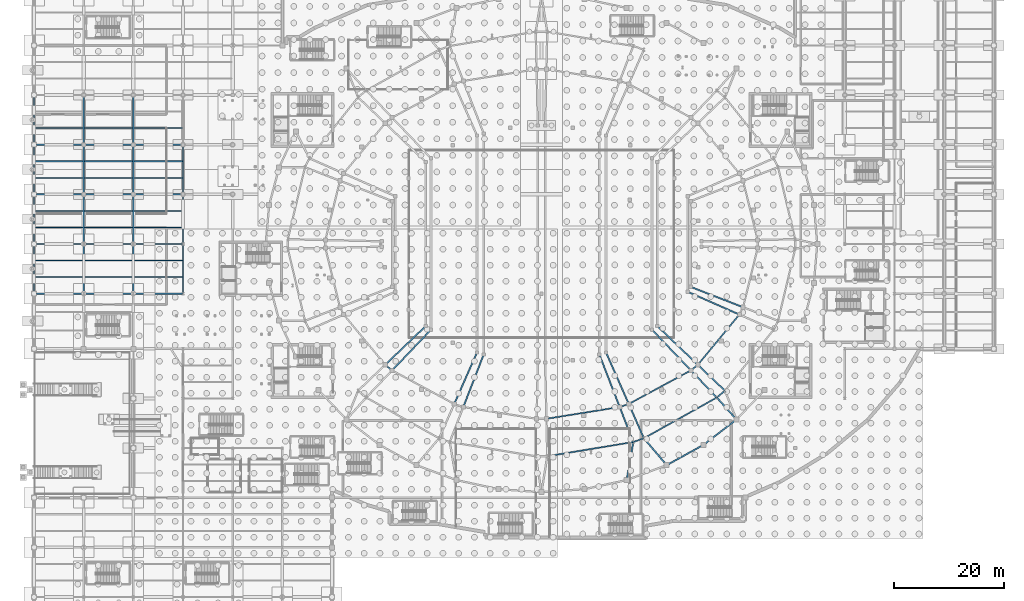
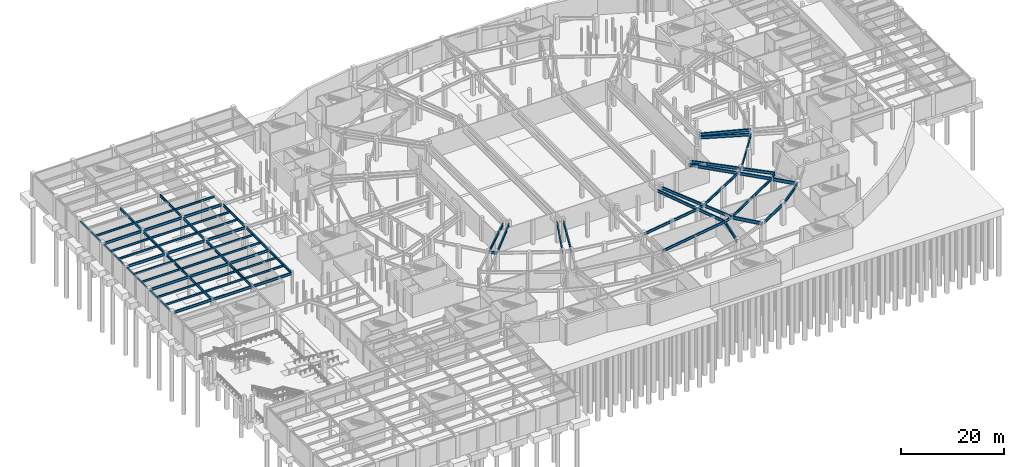
# One storey, part 34 of 56: 77 beams.
"""IFC4 building model written with IfcOpenShell, lengths in metres."""

from ifc_helpers import new_model, si_unit, direction, frame, origin, origin_2d, place, context, subcontext, project, spatial, hollow_rectangle, i_section, extrude, material, material_profile, profile_set, type_object, element, save


model = new_model("IFC4")

# Units and contexts
model_context = context("Model", 3, precision=1e-05, world=origin(), true_north=direction((0.0, 1.0)))
body_context = subcontext(model_context, "Body", "Model", "MODEL_VIEW")
ifc_project = project(units=[si_unit("LENGTHUNIT", "METRE"), si_unit("AREAUNIT", "SQUARE_METRE"), si_unit("VOLUMEUNIT", "CUBIC_METRE"), si_unit("PLANEANGLEUNIT", "RADIAN"), si_unit("MASSUNIT", "GRAM", prefix="KILO")], contexts=[model_context])

# Site, building, storey
site_placement = place(None, origin())
site = spatial("IfcSite", under=ifc_project, at=site_placement, CompositionType="ELEMENT")
building_placement = place(site_placement, origin())
building = spatial("IfcBuilding", under=site, at=building_placement, Name="Glasvene Arena", CompositionType="ELEMENT")
storey_placement = place(building_placement, frame((0.0, 0.0, -5.39990234375)))
storey = spatial("IfcBuildingStorey", under=building, at=storey_placement, Name="B1", CompositionType="ELEMENT", Elevation=-5.39990234375)

# Beams
ifc_material = material(Name="Steel S355J2", Category="steel")
ifc_material_profile_1 = material_profile(ifc_material, i_section(OverallWidth=0.228271484375, OverallDepth=0.607666015625, WebThickness=0.010986328125, FlangeThickness=0.017333984375, FilletRadius=0.0126953125, at=origin_2d()), Name="UKB 610x229x113")
ifc_profile_set_1 = profile_set([ifc_material_profile_1], Name="Steel S355J2")
beam_type_1 = type_object("IfcBeamType", Name="BM-GIRD-610", PredefinedType="BEAM", material=ifc_profile_set_1)
beam_1_placement = place(storey_placement, frame((0.445068359375, 64.0, 4.736083984375), z_axis=(1.0, 0.0, 0.0), x_axis=(0.0, 1.0, 0.0)))
element("IfcBeam", 1, at=beam_1_placement, inside=storey, type_object=beam_type_1, Name="Primary X girder B1-0039", PredefinedType="BEAM", context=body_context, shape_type="SweptSolid", body=[
    extrude(i_section(OverallWidth=0.228271484375, OverallDepth=0.607666015625, WebThickness=0.010986328125, FlangeThickness=0.017333984375, FilletRadius=0.0126953125, at=origin_2d()), origin(), (0.0, 0.0, 1.0), 8.5048828125),
])
for number, where, z_axis, x_axis, name in (
    (2, (9.050048828125, 64.0, 4.736083984375), (1.0, 0.0, 0.0), (0.0, 1.0, 0.0), "Primary X girder B1-0040"),
    (3, (18.050048828125, 64.0, 4.736083984375), (1.0, 0.0, 0.0), (0.0, 1.0, 0.0), "Primary X girder B1-0041"),
):
    element("IfcBeam", number, at=place(storey_placement, frame(where, z_axis=z_axis, x_axis=x_axis)), inside=storey, type_object=beam_type_1, Name=name, PredefinedType="BEAM", context=body_context, shape_type="SweptSolid", body=[
        extrude(i_section(OverallWidth=0.228271484375, OverallDepth=0.607666015625, WebThickness=0.010986328125, FlangeThickness=0.017333984375, FilletRadius=0.0126953125, at=origin_2d()), origin(), (0.0, 0.0, 1.0), 8.89990234375),
    ])
beam_2_placement = place(storey_placement, frame((0.445068359375, 73.0, 4.736083984375), z_axis=(1.0, 0.0, 0.0), x_axis=(0.0, 1.0, 0.0)))
element("IfcBeam", 4, at=beam_2_placement, inside=storey, type_object=beam_type_1, Name="Primary X girder B1-0044", PredefinedType="BEAM", context=body_context, shape_type="SweptSolid", body=[
    extrude(i_section(OverallWidth=0.228271484375, OverallDepth=0.607666015625, WebThickness=0.010986328125, FlangeThickness=0.017333984375, FilletRadius=0.0126953125, at=origin_2d()), origin(), (0.0, 0.0, 1.0), 8.5048828125),
])
for number, where, z_axis, x_axis, name in (
    (5, (9.050048828125, 73.0, 4.736083984375), (1.0, 0.0, 0.0), (0.0, 1.0, 0.0), "Primary X girder B1-0045"),
    (6, (18.050048828125, 73.0, 4.736083984375), (1.0, 0.0, 0.0), (0.0, 1.0, 0.0), "Primary X girder B1-0046"),
):
    element("IfcBeam", number, at=place(storey_placement, frame(where, z_axis=z_axis, x_axis=x_axis)), inside=storey, type_object=beam_type_1, Name=name, PredefinedType="BEAM", context=body_context, shape_type="SweptSolid", body=[
        extrude(i_section(OverallWidth=0.228271484375, OverallDepth=0.607666015625, WebThickness=0.010986328125, FlangeThickness=0.017333984375, FilletRadius=0.0126953125, at=origin_2d()), origin(), (0.0, 0.0, 1.0), 8.89990234375),
    ])
beam_3_placement = place(storey_placement, frame((0.445068359375, 82.0, 4.736083984375), z_axis=(1.0, 0.0, 0.0), x_axis=(0.0, 1.0, 0.0)))
element("IfcBeam", 7, at=beam_3_placement, inside=storey, type_object=beam_type_1, Name="Primary X girder B1-0050", PredefinedType="BEAM", context=body_context, shape_type="SweptSolid", body=[
    extrude(i_section(OverallWidth=0.228271484375, OverallDepth=0.607666015625, WebThickness=0.010986328125, FlangeThickness=0.017333984375, FilletRadius=0.0126953125, at=origin_2d()), origin(), (0.0, 0.0, 1.0), 8.260009765625),
])
for number, where, z_axis, x_axis, name in (
    (8, (9.294921875, 82.0, 4.736083984375), (1.0, 0.0, 0.0), (0.0, 1.0, 0.0), "Primary X girder B1-0051"),
    (9, (18.294921875, 82.0, 4.736083984375), (1.0, 0.0, 0.0), (0.0, 1.0, 0.0), "Primary X girder B1-0052"),
):
    element("IfcBeam", number, at=place(storey_placement, frame(where, z_axis=z_axis, x_axis=x_axis)), inside=storey, type_object=beam_type_1, Name=name, PredefinedType="BEAM", context=body_context, shape_type="SweptSolid", body=[
        extrude(i_section(OverallWidth=0.228271484375, OverallDepth=0.607666015625, WebThickness=0.010986328125, FlangeThickness=0.017333984375, FilletRadius=0.0126953125, at=origin_2d()), origin(), (0.0, 0.0, 1.0), 8.41015625),
    ])
beam_4_placement = place(storey_placement, frame((0.445068359375, 91.0, 4.736083984375), z_axis=(1.0, 0.0, 0.0), x_axis=(0.0, 1.0, 0.0)))
element("IfcBeam", 10, at=beam_4_placement, inside=storey, type_object=beam_type_1, Name="Primary X girder B1-0056", PredefinedType="BEAM", context=body_context, shape_type="SweptSolid", body=[
    extrude(i_section(OverallWidth=0.228271484375, OverallDepth=0.607666015625, WebThickness=0.010986328125, FlangeThickness=0.017333984375, FilletRadius=0.0126953125, at=origin_2d()), origin(), (0.0, 0.0, 1.0), 8.260009765625),
])
for number, where, z_axis, x_axis, name in (
    (11, (9.294921875, 91.0, 4.736083984375), (1.0, 0.0, 0.0), (0.0, 1.0, 0.0), "Primary X girder B1-0057"),
    (12, (18.294921875, 91.0, 4.736083984375), (1.0, 0.0, 0.0), (0.0, 1.0, 0.0), "Primary X girder B1-0058"),
):
    element("IfcBeam", number, at=place(storey_placement, frame(where, z_axis=z_axis, x_axis=x_axis)), inside=storey, type_object=beam_type_1, Name=name, PredefinedType="BEAM", context=body_context, shape_type="SweptSolid", body=[
        extrude(i_section(OverallWidth=0.228271484375, OverallDepth=0.607666015625, WebThickness=0.010986328125, FlangeThickness=0.017333984375, FilletRadius=0.0126953125, at=origin_2d()), origin(), (0.0, 0.0, 1.0), 8.41015625),
    ])
beam_5_placement = place(storey_placement, frame((9.0, 64.185546875, 4.736083984375), z_axis=(0.0, 1.0, 0.0), x_axis=(-1.0, 0.0, 0.0)))
element("IfcBeam", 13, at=beam_5_placement, inside=storey, type_object=beam_type_1, Name="Primary Y girder B1-0099", PredefinedType="BEAM", context=body_context, shape_type="SweptSolid", body=[
    extrude(i_section(OverallWidth=0.228271484375, OverallDepth=0.607666015625, WebThickness=0.010986328125, FlangeThickness=0.017333984375, FilletRadius=0.0126953125, at=origin_2d()), origin(), (0.0, 0.0, 1.0), 8.62890625),
])
beam_6_placement = place(storey_placement, frame((9.0, 73.185546875, 4.736083984375), z_axis=(0.0, 1.0, 0.0), x_axis=(-1.0, 0.0, 0.0)))
element("IfcBeam", 14, at=beam_6_placement, inside=storey, type_object=beam_type_1, Name="Primary Y girder B1-0100", PredefinedType="BEAM", context=body_context, shape_type="SweptSolid", body=[
    extrude(i_section(OverallWidth=0.228271484375, OverallDepth=0.607666015625, WebThickness=0.010986328125, FlangeThickness=0.017333984375, FilletRadius=0.0126953125, at=origin_2d()), origin(), (0.0, 0.0, 1.0), 8.51953125),
])
for number, where, z_axis, x_axis, name in (
    (15, (9.0, 82.294921875, 4.736083984375), (0.0, 1.0, 0.0), (-1.0, 0.0, 0.0), "Primary Y girder B1-0101"),
    (16, (9.0, 91.294921875, 4.736083984375), (0.0, 1.0, 0.0), (-1.0, 0.0, 0.0), "Primary Y girder B1-0102"),
):
    element("IfcBeam", number, at=place(storey_placement, frame(where, z_axis=z_axis, x_axis=x_axis)), inside=storey, type_object=beam_type_1, Name=name, PredefinedType="BEAM", context=body_context, shape_type="SweptSolid", body=[
        extrude(i_section(OverallWidth=0.228271484375, OverallDepth=0.607666015625, WebThickness=0.010986328125, FlangeThickness=0.017333984375, FilletRadius=0.0126953125, at=origin_2d()), origin(), (0.0, 0.0, 1.0), 8.41015625),
    ])
beam_7_placement = place(storey_placement, frame((18.0, 64.185546875, 4.736083984375), z_axis=(0.0, 1.0, 0.0), x_axis=(-1.0, 0.0, 0.0)))
element("IfcBeam", 17, at=beam_7_placement, inside=storey, type_object=beam_type_1, Name="Primary Y girder B1-0109", PredefinedType="BEAM", context=body_context, shape_type="SweptSolid", body=[
    extrude(i_section(OverallWidth=0.228271484375, OverallDepth=0.607666015625, WebThickness=0.010986328125, FlangeThickness=0.017333984375, FilletRadius=0.0126953125, at=origin_2d()), origin(), (0.0, 0.0, 1.0), 8.62890625),
])
beam_8_placement = place(storey_placement, frame((18.0, 73.185546875, 4.736083984375), z_axis=(0.0, 1.0, 0.0), x_axis=(-1.0, 0.0, 0.0)))
element("IfcBeam", 18, at=beam_8_placement, inside=storey, type_object=beam_type_1, Name="Primary Y girder B1-0110", PredefinedType="BEAM", context=body_context, shape_type="SweptSolid", body=[
    extrude(i_section(OverallWidth=0.228271484375, OverallDepth=0.607666015625, WebThickness=0.010986328125, FlangeThickness=0.017333984375, FilletRadius=0.0126953125, at=origin_2d()), origin(), (0.0, 0.0, 1.0), 8.51953125),
])
for number, where, z_axis, x_axis, name in (
    (19, (18.0, 82.294921875, 4.736083984375), (0.0, 1.0, 0.0), (-1.0, 0.0, 0.0), "Primary Y girder B1-0111"),
    (20, (18.0, 91.294921875, 4.736083984375), (0.0, 1.0, 0.0), (-1.0, 0.0, 0.0), "Primary Y girder B1-0112"),
):
    element("IfcBeam", number, at=place(storey_placement, frame(where, z_axis=z_axis, x_axis=x_axis)), inside=storey, type_object=beam_type_1, Name=name, PredefinedType="BEAM", context=body_context, shape_type="SweptSolid", body=[
        extrude(i_section(OverallWidth=0.228271484375, OverallDepth=0.607666015625, WebThickness=0.010986328125, FlangeThickness=0.017333984375, FilletRadius=0.0126953125, at=origin_2d()), origin(), (0.0, 0.0, 1.0), 8.41015625),
    ])
beam_9_placement = place(storey_placement, frame((27.0, 64.185546875, 4.736083984375), z_axis=(0.0, 1.0, 0.0), x_axis=(-1.0, 0.0, 0.0)))
element("IfcBeam", 21, at=beam_9_placement, inside=storey, type_object=beam_type_1, Name="Primary Y girder B1-0121", PredefinedType="BEAM", context=body_context, shape_type="SweptSolid", body=[
    extrude(i_section(OverallWidth=0.228271484375, OverallDepth=0.607666015625, WebThickness=0.010986328125, FlangeThickness=0.017333984375, FilletRadius=0.0126953125, at=origin_2d()), origin(), (0.0, 0.0, 1.0), 8.62890625),
])
beam_10_placement = place(storey_placement, frame((27.0, 73.185546875, 4.736083984375), z_axis=(0.0, 1.0, 0.0), x_axis=(-1.0, 0.0, 0.0)))
element("IfcBeam", 22, at=beam_10_placement, inside=storey, type_object=beam_type_1, Name="Primary Y girder B1-0122", PredefinedType="BEAM", context=body_context, shape_type="SweptSolid", body=[
    extrude(i_section(OverallWidth=0.228271484375, OverallDepth=0.607666015625, WebThickness=0.010986328125, FlangeThickness=0.017333984375, FilletRadius=0.0126953125, at=origin_2d()), origin(), (0.0, 0.0, 1.0), 8.51953125),
])
beam_11_placement = place(storey_placement, frame((27.0, 82.294921875, 4.736083984375), z_axis=(0.0, 1.0, 0.0), x_axis=(-1.0, 0.0, 0.0)))
element("IfcBeam", 23, at=beam_11_placement, inside=storey, type_object=beam_type_1, Name="Primary Y girder B1-0123", PredefinedType="BEAM", context=body_context, shape_type="SweptSolid", body=[
    extrude(i_section(OverallWidth=0.228271484375, OverallDepth=0.607666015625, WebThickness=0.010986328125, FlangeThickness=0.017333984375, FilletRadius=0.0126953125, at=origin_2d()), origin(), (0.0, 0.0, 1.0), 8.41015625),
])
beam_12_placement = place(storey_placement, frame((63.65966796875, 51.09912109375, 4.73486328125), z_axis=(0.77751541262, -0.628863882839, 0.0), x_axis=(0.628863882839, 0.77751541262, 0.0)))
element("IfcBeam", 24, at=beam_12_placement, inside=storey, type_object=beam_type_1, Name="Mid-bowl ring girder B1-20", PredefinedType="BEAM", context=body_context, shape_type="SweptSolid", body=[
    extrude(i_section(OverallWidth=0.228271484375, OverallDepth=0.607666015625, WebThickness=0.010986328125, FlangeThickness=0.017333984375, FilletRadius=0.0126953125, at=origin_2d()), origin(), (0.0, 0.0, 1.0), 1.61767578125),
])
beam_13_placement = place(storey_placement, frame((93.043701171875, 34.510009765625, 4.73486328125), z_axis=(0.986425216298, 0.164211122194, 0.0), x_axis=(-0.164211122194, 0.986425216298, 0.0)))
element("IfcBeam", 25, at=beam_13_placement, inside=storey, type_object=beam_type_1, Name="Concourse inner ring girder B1-25", PredefinedType="BEAM", context=body_context, shape_type="SweptSolid", body=[
    extrude(i_section(OverallWidth=0.228271484375, OverallDepth=0.607666015625, WebThickness=0.010986328125, FlangeThickness=0.017333984375, FilletRadius=0.0126953125, at=origin_2d()), origin(), (0.0, 0.0, 1.0), 15.8056640625),
])
beam_14_placement = place(storey_placement, frame((92.889404296875, 41.30810546875, 4.73486328125), z_axis=(0.987308283351, 0.15881547036, 0.0), x_axis=(-0.15881547036, 0.987308283351, 0.0)))
element("IfcBeam", 26, at=beam_14_placement, inside=storey, type_object=beam_type_1, Name="Mid-bowl ring girder B1-25", PredefinedType="BEAM", context=body_context, shape_type="SweptSolid", body=[
    extrude(i_section(OverallWidth=0.228271484375, OverallDepth=0.607666015625, WebThickness=0.010986328125, FlangeThickness=0.017333984375, FilletRadius=0.0126953125, at=origin_2d()), origin(), (0.0, 0.0, 1.0), 13.457275390625),
])
beam_15_placement = place(storey_placement, frame((108.634765625, 37.10546875, 4.73486328125), z_axis=(0.944798184006, 0.327652852114, 0.0), x_axis=(-0.327652852114, 0.944798184006, 0.0)))
element("IfcBeam", 27, at=beam_15_placement, inside=storey, type_object=beam_type_1, Name="Concourse inner ring girder B1-26", PredefinedType="BEAM", context=body_context, shape_type="SweptSolid", body=[
    extrude(i_section(OverallWidth=0.228271484375, OverallDepth=0.607666015625, WebThickness=0.010986328125, FlangeThickness=0.017333984375, FilletRadius=0.0126953125, at=origin_2d()), origin(), (0.0, 0.0, 1.0), 2.040771484375),
])
beam_16_placement = place(storey_placement, frame((106.17578125, 43.4453125, 4.73486328125), z_axis=(0.948203248213, 0.317664288326, 0.0), x_axis=(-0.317664288326, 0.948203248213, 0.0)))
element("IfcBeam", 28, at=beam_16_placement, inside=storey, type_object=beam_type_1, Name="Mid-bowl ring girder B1-26", PredefinedType="BEAM", context=body_context, shape_type="SweptSolid", body=[
    extrude(i_section(OverallWidth=0.228271484375, OverallDepth=0.607666015625, WebThickness=0.010986328125, FlangeThickness=0.017333984375, FilletRadius=0.0126953125, at=origin_2d()), origin(), (0.0, 0.0, 1.0), 1.733154296875),
])
beam_17_placement = place(storey_placement, frame((110.56298828125, 37.774169921875, 4.73486328125), z_axis=(0.87279341778, 0.488089796943, 0.0), x_axis=(-0.488089796943, 0.87279341778, 0.0)))
element("IfcBeam", 29, at=beam_17_placement, inside=storey, type_object=beam_type_1, Name="Concourse inner ring girder B1-27", PredefinedType="BEAM", context=body_context, shape_type="SweptSolid", body=[
    extrude(i_section(OverallWidth=0.228271484375, OverallDepth=0.607666015625, WebThickness=0.010986328125, FlangeThickness=0.017333984375, FilletRadius=0.0126953125, at=origin_2d()), origin(), (0.0, 0.0, 1.0), 15.14404296875),
])
beam_18_placement = place(storey_placement, frame((107.819091796875, 43.995849609375, 4.73486328125), z_axis=(0.879784979892, 0.475371843042, 0.0), x_axis=(-0.475371843042, 0.879784979892, 0.0)))
element("IfcBeam", 30, at=beam_18_placement, inside=storey, type_object=beam_type_1, Name="Mid-bowl ring girder B1-27", PredefinedType="BEAM", context=body_context, shape_type="SweptSolid", body=[
    extrude(i_section(OverallWidth=0.228271484375, OverallDepth=0.607666015625, WebThickness=0.010986328125, FlangeThickness=0.017333984375, FilletRadius=0.0126953125, at=origin_2d()), origin(), (0.0, 0.0, 1.0), 12.802490234375),
])
beam_19_placement = place(storey_placement, frame((123.780517578125, 45.165771484375, 4.73486328125), z_axis=(0.766930434436, 0.641730246082, 0.0), x_axis=(-0.641730246082, 0.766930434436, 0.0)))
element("IfcBeam", 31, at=beam_19_placement, inside=storey, type_object=beam_type_1, Name="Concourse inner ring girder B1-28", PredefinedType="BEAM", context=body_context, shape_type="SweptSolid", body=[
    extrude(i_section(OverallWidth=0.228271484375, OverallDepth=0.607666015625, WebThickness=0.010986328125, FlangeThickness=0.017333984375, FilletRadius=0.0126953125, at=origin_2d()), origin(), (0.0, 0.0, 1.0), 1.924560546875),
])
beam_20_placement = place(storey_placement, frame((119.08251953125, 50.081787109375, 4.73486328125), z_axis=(0.77751541262, 0.628863882839, 0.0), x_axis=(-0.628863882839, 0.77751541262, 0.0)))
element("IfcBeam", 32, at=beam_20_placement, inside=storey, type_object=beam_type_1, Name="Mid-bowl ring girder B1-28", PredefinedType="BEAM", context=body_context, shape_type="SweptSolid", body=[
    extrude(i_section(OverallWidth=0.228271484375, OverallDepth=0.607666015625, WebThickness=0.010986328125, FlangeThickness=0.017333984375, FilletRadius=0.0126953125, at=origin_2d()), origin(), (0.0, 0.0, 1.0), 1.61767578125),
])
beam_21_placement = place(storey_placement, frame((120.34033203125, 51.09912109375, 4.73486328125), z_axis=(0.636971685607, 0.770887197802, 0.0), x_axis=(-0.770887197802, 0.636971685607, 0.0)))
element("IfcBeam", 33, at=beam_21_placement, inside=storey, type_object=beam_type_1, Name="Mid-bowl ring girder B1-29", PredefinedType="BEAM", context=body_context, shape_type="SweptSolid", body=[
    extrude(i_section(OverallWidth=0.228271484375, OverallDepth=0.607666015625, WebThickness=0.010986328125, FlangeThickness=0.017333984375, FilletRadius=0.0126953125, at=origin_2d()), origin(), (0.0, 0.0, 1.0), 11.8154296875),
])
ifc_material_profile_2 = material_profile(ifc_material, i_section(OverallWidth=0.253662109375, OverallDepth=0.68359375, WebThickness=0.012451171875, FlangeThickness=0.01904296875, FilletRadius=0.01513671875, at=origin_2d()), Name="UKB 686x254x140")
ifc_profile_set_2 = profile_set([ifc_material_profile_2], Name="Steel S355J2")
beam_type_2 = type_object("IfcBeamType", Name="BM-GIRD-686", PredefinedType="BEAM", material=ifc_profile_set_2)
beam_22_placement = place(storey_placement, frame((115.0673828125, 33.107421875, 4.6982421875), z_axis=(0.875645230087, 0.482954895436, 0.0), x_axis=(-0.482954895436, 0.875645230087, 0.0)))
element("IfcBeam", 34, at=beam_22_placement, inside=storey, type_object=beam_type_2, Name="Bowl ring chord beam B1-34", PredefinedType="BEAM", context=body_context, shape_type="SweptSolid", body=[
    extrude(i_section(OverallWidth=0.253662109375, OverallDepth=0.68359375, WebThickness=0.012451171875, FlangeThickness=0.01904296875, FilletRadius=0.01513671875, at=origin_2d()), origin(), (0.0, 0.0, 1.0), 6.799560546875),
])
beam_23_placement = place(storey_placement, frame((121.722412109375, 36.85009765625, 4.6982421875), z_axis=(0.792808596744, 0.60947069571, 0.0), x_axis=(-0.60947069571, 0.792808596744, 0.0)))
element("IfcBeam", 35, at=beam_23_placement, inside=storey, type_object=beam_type_2, Name="Bowl ring chord beam B1-35", PredefinedType="BEAM", context=body_context, shape_type="SweptSolid", body=[
    extrude(i_section(OverallWidth=0.253662109375, OverallDepth=0.68359375, WebThickness=0.012451171875, FlangeThickness=0.01904296875, FilletRadius=0.01513671875, at=origin_2d()), origin(), (0.0, 0.0, 1.0), 6.684814453125),
])
beam_24_placement = place(storey_placement, frame((106.17578125, 43.4453125, 4.697998046875), z_axis=(0.361614477563, -0.932327715783, 0.0), x_axis=(0.932327715783, 0.361614477563, 0.0)))
element("IfcBeam", 36, at=beam_24_placement, inside=storey, type_object=beam_type_2, Name="Mid-to-rear radial girder B1-26", PredefinedType="BEAM", context=body_context, shape_type="SweptSolid", body=[
    extrude(i_section(OverallWidth=0.253662109375, OverallDepth=0.68359375, WebThickness=0.012451171875, FlangeThickness=0.01904296875, FilletRadius=0.01513671875, at=origin_2d()), origin(), (0.0, 0.0, 1.0), 6.800048828125),
])
for number, where, z_axis, x_axis, name in (
    (37, (107.819091796875, 43.995849609375, 4.697998046875), (0.403521754761, -0.914970050567, 0.0), (0.914970050567, 0.403521754761, 0.0), "Mid-to-rear radial girder B1-27"),
    (38, (119.08251953125, 50.081787109375, 4.697998046875), (0.690894054314, -0.722956019211, 0.0), (0.722956019211, 0.690894054314, 0.0), "Mid-to-rear radial girder B1-28"),
):
    element("IfcBeam", number, at=place(storey_placement, frame(where, z_axis=z_axis, x_axis=x_axis)), inside=storey, type_object=beam_type_2, Name=name, PredefinedType="BEAM", context=body_context, shape_type="SweptSolid", body=[
        extrude(i_section(OverallWidth=0.253662109375, OverallDepth=0.68359375, WebThickness=0.012451171875, FlangeThickness=0.01904296875, FilletRadius=0.01513671875, at=origin_2d()), origin(), (0.0, 0.0, 1.0), 6.7998046875),
    ])
beam_25_placement = place(storey_placement, frame((120.34033203125, 51.09912109375, 4.697998046875), z_axis=(0.722955223934, -0.690894886496, 0.0), x_axis=(0.690894886496, 0.722955223934, 0.0)))
element("IfcBeam", 39, at=beam_25_placement, inside=storey, type_object=beam_type_2, Name="Mid-to-rear radial girder B1-29", PredefinedType="BEAM", context=body_context, shape_type="SweptSolid", body=[
    extrude(i_section(OverallWidth=0.253662109375, OverallDepth=0.68359375, WebThickness=0.012451171875, FlangeThickness=0.01904296875, FilletRadius=0.01513671875, at=origin_2d()), origin(), (0.0, 0.0, 1.0), 6.80029296875),
])
beam_26_placement = place(storey_placement, frame((71.033935546875, 58.14599609375, 4.697998046875), z_axis=(-0.722973421987, -0.690875843477, 0.0), x_axis=(0.690875843477, -0.722973421987, 0.0)))
element("IfcBeam", 40, at=beam_26_placement, inside=storey, type_object=beam_type_2, Name="Pitch-to-mid basement girder 20", PredefinedType="BEAM", context=body_context, shape_type="SweptSolid", body=[
    extrude(i_section(OverallWidth=0.253662109375, OverallDepth=0.68359375, WebThickness=0.012451171875, FlangeThickness=0.01904296875, FilletRadius=0.01513671875, at=origin_2d()), origin(), (0.0, 0.0, 1.0), 10.199951171875),
])
beam_27_placement = place(storey_placement, frame((71.96435546875, 57.456298828125, 4.697998046875), z_axis=(-0.690863888142, -0.722984846356, 0.0), x_axis=(0.722984846356, -0.690863888142, 0.0)))
element("IfcBeam", 41, at=beam_27_placement, inside=storey, type_object=beam_type_2, Name="Pitch-to-mid basement girder 21", PredefinedType="BEAM", context=body_context, shape_type="SweptSolid", body=[
    extrude(i_section(OverallWidth=0.253662109375, OverallDepth=0.68359375, WebThickness=0.012451171875, FlangeThickness=0.01904296875, FilletRadius=0.01513671875, at=origin_2d()), origin(), (0.0, 0.0, 1.0), 10.2001953125),
])
beam_28_placement = place(storey_placement, frame((80.297119140625, 53.328369140625, 4.697998046875), z_axis=(-0.40355181162, -0.914956794247, 0.0), x_axis=(0.914956794247, -0.40355181162, 0.0)))
element("IfcBeam", 42, at=beam_28_placement, inside=storey, type_object=beam_type_2, Name="Pitch-to-mid basement girder 22", PredefinedType="BEAM", context=body_context, shape_type="SweptSolid", body=[
    extrude(i_section(OverallWidth=0.253662109375, OverallDepth=0.68359375, WebThickness=0.012451171875, FlangeThickness=0.01904296875, FilletRadius=0.01513671875, at=origin_2d()), origin(), (0.0, 0.0, 1.0), 10.199951171875),
])
for number, where, z_axis, x_axis, name in (
    (43, (81.512939453125, 52.955078125, 4.697998046875), (-0.361635282691, -0.932319645998, 0.0), (0.932319645998, -0.361635282691, 0.0), "Pitch-to-mid basement girder 23"),
    (44, (102.487060546875, 52.955078125, 4.697998046875), (0.361635282691, -0.932319645998, 0.0), (0.932319645998, 0.361635282691, 0.0), "Pitch-to-mid basement girder 26"),
):
    element("IfcBeam", number, at=place(storey_placement, frame(where, z_axis=z_axis, x_axis=x_axis)), inside=storey, type_object=beam_type_2, Name=name, PredefinedType="BEAM", context=body_context, shape_type="SweptSolid", body=[
        extrude(i_section(OverallWidth=0.253662109375, OverallDepth=0.68359375, WebThickness=0.012451171875, FlangeThickness=0.01904296875, FilletRadius=0.01513671875, at=origin_2d()), origin(), (0.0, 0.0, 1.0), 10.2001953125),
    ])
beam_29_placement = place(storey_placement, frame((103.702880859375, 53.328369140625, 4.697998046875), z_axis=(0.40355181162, -0.914956794247, 0.0), x_axis=(0.914956794247, 0.40355181162, 0.0)))
element("IfcBeam", 45, at=beam_29_placement, inside=storey, type_object=beam_type_2, Name="Pitch-to-mid basement girder 27", PredefinedType="BEAM", context=body_context, shape_type="SweptSolid", body=[
    extrude(i_section(OverallWidth=0.253662109375, OverallDepth=0.68359375, WebThickness=0.012451171875, FlangeThickness=0.01904296875, FilletRadius=0.01513671875, at=origin_2d()), origin(), (0.0, 0.0, 1.0), 10.199951171875),
])
beam_30_placement = place(storey_placement, frame((112.03564453125, 57.456298828125, 4.697998046875), z_axis=(0.690863888142, -0.722984846356, 0.0), x_axis=(0.722984846356, 0.690863888142, 0.0)))
element("IfcBeam", 46, at=beam_30_placement, inside=storey, type_object=beam_type_2, Name="Pitch-to-mid basement girder 28", PredefinedType="BEAM", context=body_context, shape_type="SweptSolid", body=[
    extrude(i_section(OverallWidth=0.253662109375, OverallDepth=0.68359375, WebThickness=0.012451171875, FlangeThickness=0.01904296875, FilletRadius=0.01513671875, at=origin_2d()), origin(), (0.0, 0.0, 1.0), 10.2001953125),
])
beam_31_placement = place(storey_placement, frame((112.966064453125, 58.14599609375, 4.697998046875), z_axis=(0.722973421987, -0.690875843477, 0.0), x_axis=(0.690875843477, 0.722973421987, 0.0)))
element("IfcBeam", 47, at=beam_31_placement, inside=storey, type_object=beam_type_2, Name="Pitch-to-mid basement girder 29", PredefinedType="BEAM", context=body_context, shape_type="SweptSolid", body=[
    extrude(i_section(OverallWidth=0.253662109375, OverallDepth=0.68359375, WebThickness=0.012451171875, FlangeThickness=0.01904296875, FilletRadius=0.01513671875, at=origin_2d()), origin(), (0.0, 0.0, 1.0), 10.199951171875),
])
beam_32_placement = place(storey_placement, frame((118.53369140625, 64.32373046875, 4.697998046875), z_axis=(0.914960692105, -0.403542974047, 0.0), x_axis=(0.403542974047, 0.914960692105, 0.0)))
element("IfcBeam", 48, at=beam_32_placement, inside=storey, type_object=beam_type_2, Name="Pitch-to-mid basement girder 30", PredefinedType="BEAM", context=body_context, shape_type="SweptSolid", body=[
    extrude(i_section(OverallWidth=0.253662109375, OverallDepth=0.68359375, WebThickness=0.012451171875, FlangeThickness=0.01904296875, FilletRadius=0.01513671875, at=origin_2d()), origin(), (0.0, 0.0, 1.0), 10.2001953125),
])
beam_33_placement = place(storey_placement, frame((119.037353515625, 65.22509765625, 4.697998046875), z_axis=(0.932327715783, -0.361614477563, 0.0), x_axis=(0.361614477563, 0.932327715783, 0.0)))
element("IfcBeam", 49, at=beam_33_placement, inside=storey, type_object=beam_type_2, Name="Pitch-to-mid basement girder 31", PredefinedType="BEAM", context=body_context, shape_type="SweptSolid", body=[
    extrude(i_section(OverallWidth=0.253662109375, OverallDepth=0.68359375, WebThickness=0.012451171875, FlangeThickness=0.01904296875, FilletRadius=0.01513671875, at=origin_2d()), origin(), (0.0, 0.0, 1.0), 10.199951171875),
])
ifc_material_profile_3 = material_profile(ifc_material, i_section(OverallWidth=0.2666015625, OverallDepth=0.76220703125, WebThickness=0.014404296875, FlangeThickness=0.021484375, FilletRadius=0.0166015625, at=origin_2d()), Name="UKB 762x267x173")
ifc_profile_set_3 = profile_set([ifc_material_profile_3], Name="Steel S355J2")
beam_type_3 = type_object("IfcBeamType", Name="BM-GIRD-762", PredefinedType="BEAM", material=ifc_profile_set_3)
beam_34_placement = place(storey_placement, frame((108.634765625, 37.10546875, 4.65869140625), z_axis=(-0.169060564867, -0.985605664253, 0.0), x_axis=(0.985605664253, -0.169060564867, 0.0)))
element("IfcBeam", 50, at=beam_34_placement, inside=storey, type_object=beam_type_3, Name="Radial concourse girder B1-26", PredefinedType="BEAM", context=body_context, shape_type="SweptSolid", body=[
    extrude(i_section(OverallWidth=0.2666015625, OverallDepth=0.76220703125, WebThickness=0.014404296875, FlangeThickness=0.021484375, FilletRadius=0.0166015625, at=origin_2d()), origin(), (0.0, 0.0, 1.0), 7.00390625),
])
beam_35_placement = place(storey_placement, frame((110.56298828125, 37.774169921875, 4.65869140625), z_axis=(0.647421006623, -0.762132560768, 0.0), x_axis=(0.762132560768, 0.647421006623, 0.0)))
element("IfcBeam", 51, at=beam_35_placement, inside=storey, type_object=beam_type_3, Name="Radial concourse girder B1-27", PredefinedType="BEAM", context=body_context, shape_type="SweptSolid", body=[
    extrude(i_section(OverallWidth=0.2666015625, OverallDepth=0.76220703125, WebThickness=0.014404296875, FlangeThickness=0.021484375, FilletRadius=0.0166015625, at=origin_2d()), origin(), (0.0, 0.0, 1.0), 6.38916015625),
])
beam_36_placement = place(storey_placement, frame((123.780517578125, 45.165771484375, 4.65869140625), z_axis=(0.667691455448, -0.744438123904, 0.0), x_axis=(0.744438123904, 0.667691455448, 0.0)))
element("IfcBeam", 52, at=beam_36_placement, inside=storey, type_object=beam_type_3, Name="Radial concourse girder B1-28", PredefinedType="BEAM", context=body_context, shape_type="SweptSolid", body=[
    extrude(i_section(OverallWidth=0.2666015625, OverallDepth=0.76220703125, WebThickness=0.014404296875, FlangeThickness=0.021484375, FilletRadius=0.0166015625, at=origin_2d()), origin(), (0.0, 0.0, 1.0), 5.353759765625),
])
ifc_material_profile_4 = material_profile(ifc_material, i_section(OverallWidth=0.1904296875, OverallDepth=0.45703125, WebThickness=0.009033203125, FlangeThickness=0.014404296875, FilletRadius=0.01025390625, at=origin_2d()), Name="UKB 457x191x74")
ifc_profile_set_4 = profile_set([ifc_material_profile_4], Name="Steel S355J2")
beam_type_4 = type_object("IfcBeamType", Name="BM-JOIST-457", PredefinedType="JOIST", material=ifc_profile_set_4)
for number, where, z_axis, x_axis, name in (
    (53, (0.095947265625, 67.0, 4.8115234375), (1.0, 0.0, 0.0), (0.0, 1.0, 0.0), "Composite floor joist B1-0178"),
    (54, (0.095947265625, 70.0, 4.8115234375), (1.0, 0.0, 0.0), (0.0, 1.0, 0.0), "Composite floor joist B1-0179"),
    (55, (0.095947265625, 76.0, 4.8115234375), (1.0, 0.0, 0.0), (0.0, 1.0, 0.0), "Composite floor joist B1-0180"),
    (56, (0.095947265625, 79.0, 4.8115234375), (1.0, 0.0, 0.0), (0.0, 1.0, 0.0), "Composite floor joist B1-0181"),
    (57, (0.095947265625, 85.0, 4.8115234375), (1.0, 0.0, 0.0), (0.0, 1.0, 0.0), "Composite floor joist B1-0182"),
    (58, (0.095947265625, 88.0, 4.8115234375), (1.0, 0.0, 0.0), (0.0, 1.0, 0.0), "Composite floor joist B1-0183"),
    (59, (0.095947265625, 94.0, 4.8115234375), (1.0, 0.0, 0.0), (0.0, 1.0, 0.0), "Composite floor joist B1-0184"),
):
    element("IfcBeam", number, at=place(storey_placement, frame(where, z_axis=z_axis, x_axis=x_axis)), inside=storey, type_object=beam_type_4, Name=name, PredefinedType="JOIST", context=body_context, shape_type="SweptSolid", body=[
        extrude(i_section(OverallWidth=0.1904296875, OverallDepth=0.45703125, WebThickness=0.009033203125, FlangeThickness=0.014404296875, FilletRadius=0.01025390625, at=origin_2d()), origin(), (0.0, 0.0, 1.0), 8.7939453125),
    ])
for number, where, z_axis, x_axis, name in (
    (60, (9.110107421875, 67.0, 4.8115234375), (1.0, 0.0, 0.0), (0.0, 1.0, 0.0), "Composite floor joist B1-0195"),
    (61, (9.110107421875, 70.0, 4.8115234375), (1.0, 0.0, 0.0), (0.0, 1.0, 0.0), "Composite floor joist B1-0196"),
    (62, (9.110107421875, 76.0, 4.8115234375), (1.0, 0.0, 0.0), (0.0, 1.0, 0.0), "Composite floor joist B1-0197"),
    (63, (9.110107421875, 79.0, 4.8115234375), (1.0, 0.0, 0.0), (0.0, 1.0, 0.0), "Composite floor joist B1-0198"),
    (64, (9.110107421875, 85.0, 4.8115234375), (1.0, 0.0, 0.0), (0.0, 1.0, 0.0), "Composite floor joist B1-0199"),
    (65, (9.110107421875, 88.0, 4.8115234375), (1.0, 0.0, 0.0), (0.0, 1.0, 0.0), "Composite floor joist B1-0200"),
    (66, (9.110107421875, 94.0, 4.8115234375), (1.0, 0.0, 0.0), (0.0, 1.0, 0.0), "Composite floor joist B1-0201"),
    (67, (18.110107421875, 67.0, 4.8115234375), (1.0, 0.0, 0.0), (0.0, 1.0, 0.0), "Composite floor joist B1-0212"),
    (68, (18.110107421875, 70.0, 4.8115234375), (1.0, 0.0, 0.0), (0.0, 1.0, 0.0), "Composite floor joist B1-0213"),
    (69, (18.110107421875, 76.0, 4.8115234375), (1.0, 0.0, 0.0), (0.0, 1.0, 0.0), "Composite floor joist B1-0214"),
    (70, (18.110107421875, 79.0, 4.8115234375), (1.0, 0.0, 0.0), (0.0, 1.0, 0.0), "Composite floor joist B1-0215"),
    (71, (18.110107421875, 85.0, 4.8115234375), (1.0, 0.0, 0.0), (0.0, 1.0, 0.0), "Composite floor joist B1-0216"),
    (72, (18.110107421875, 88.0, 4.8115234375), (1.0, 0.0, 0.0), (0.0, 1.0, 0.0), "Composite floor joist B1-0217"),
    (73, (18.110107421875, 94.0, 4.8115234375), (1.0, 0.0, 0.0), (0.0, 1.0, 0.0), "Composite floor joist B1-0218"),
):
    element("IfcBeam", number, at=place(storey_placement, frame(where, z_axis=z_axis, x_axis=x_axis)), inside=storey, type_object=beam_type_4, Name=name, PredefinedType="JOIST", context=body_context, shape_type="SweptSolid", body=[
        extrude(i_section(OverallWidth=0.1904296875, OverallDepth=0.45703125, WebThickness=0.009033203125, FlangeThickness=0.014404296875, FilletRadius=0.01025390625, at=origin_2d()), origin(), (0.0, 0.0, 1.0), 8.77978515625),
    ])
ifc_material_profile_5 = material_profile(ifc_material, hollow_rectangle(XDim=0.199951171875, YDim=0.300048828125, WallThickness=0.012451171875, at=origin_2d()), Name="RHS 300x200x12.5")
ifc_profile_set_5 = profile_set([ifc_material_profile_5], Name="Steel S355J2")
beam_type_5 = type_object("IfcBeamType", Name="BM-SPAND-300", PredefinedType="SPANDREL", material=ifc_profile_set_5)
for number, where, z_axis, x_axis, name in (
    (74, (0.0, 64.445068359375, 4.889892578125), (0.0, 1.0, 0.0), (-1.0, 0.0, 0.0), "Primary Y girder B1-0089"),
    (75, (0.0, 73.445068359375, 4.889892578125), (0.0, 1.0, 0.0), (-1.0, 0.0, 0.0), "Primary Y girder B1-0090"),
    (76, (0.0, 82.445068359375, 4.889892578125), (0.0, 1.0, 0.0), (-1.0, 0.0, 0.0), "Primary Y girder B1-0091"),
    (77, (0.0, 91.445068359375, 4.889892578125), (0.0, 1.0, 0.0), (-1.0, 0.0, 0.0), "Primary Y girder B1-0092"),
):
    element("IfcBeam", number, at=place(storey_placement, frame(where, z_axis=z_axis, x_axis=x_axis)), inside=storey, type_object=beam_type_5, Name=name, PredefinedType="SPANDREL", context=body_context, shape_type="SweptSolid", body=[
        extrude(hollow_rectangle(XDim=0.199951171875, YDim=0.300048828125, WallThickness=0.012451171875, at=origin_2d()), origin(), (0.0, 0.0, 1.0), 8.10986328125),
    ])

save(model, "model.ifc")
